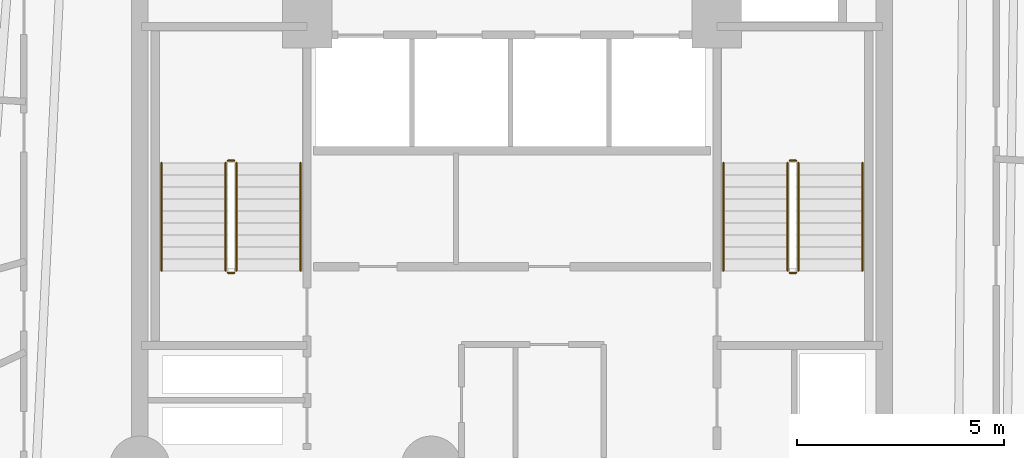
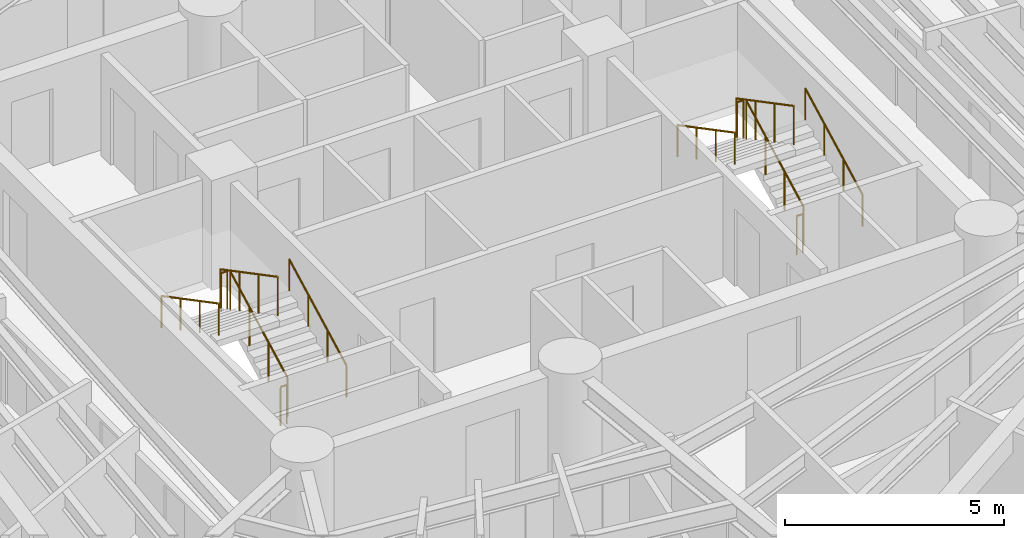
# One storey, part 8 of 8: 12 railings.
"""IFC4 building model written with IfcOpenShell, lengths in metres."""

from ifc_helpers import new_model, si_unit, direction, frame, origin, origin_2d, place, context, subcontext, project, spatial, circle, extrude, material, layer, layer_set, type_object, element, save


model = new_model("IFC4")

# Units and contexts
model_context = context("Model", 3, precision=1e-05, world=origin(), true_north=direction((0.0, 1.0)))
body_context = subcontext(model_context, "Body", "Model", "MODEL_VIEW")
ifc_project = project(units=[si_unit("LENGTHUNIT", "METRE"), si_unit("AREAUNIT", "SQUARE_METRE"), si_unit("VOLUMEUNIT", "CUBIC_METRE"), si_unit("PLANEANGLEUNIT", "RADIAN"), si_unit("MASSUNIT", "GRAM", prefix="KILO")], contexts=[model_context])

# Site, building, storey
site_placement = place(None, origin())
site = spatial("IfcSite", under=ifc_project, at=site_placement, CompositionType="ELEMENT")
building_placement = place(site_placement, origin())
building = spatial("IfcBuilding", under=site, at=building_placement, Name="Karkom Vertical University and Central Library", CompositionType="ELEMENT")
storey_placement = place(building_placement, frame((0.0, 0.0, 141.949951171875)))
storey = spatial("IfcBuildingStorey", under=building, at=storey_placement, Name="L40", CompositionType="ELEMENT", Elevation=141.949951171875)

# Railings
ifc_material_1 = material(Name="Painted galvanised steel balustrade", Category="steel")
ifc_layer_1 = layer(ifc_material_1, 0.06005859375)
ifc_layer_set_1 = layer_set([ifc_layer_1], Name="Painted galvanised steel balustrade")
railing_type_1 = type_object("IfcRailingType", Name="INT-RL-GUARD1100", PredefinedType="GUARDRAIL", material=ifc_layer_set_1)
railing_1_placement = place(storey_placement, frame((21.840087890625, 23.02001953125, 0.152587890625)))
element("IfcRailing", 1, at=railing_1_placement, inside=storey, type_object=railing_type_1, Name="Level 40 ST-1 stair guard 1", PredefinedType="GUARDRAIL", context=body_context, shape_type="SweptSolid", body=[
    extrude(circle(Radius=0.02392578125, at=origin_2d()), frame((0.0, 0.0, 1.076171875), z_axis=(0.0, 0.885065446896, 0.46546659892), x_axis=(-1.0, 0.0, 0.0)), (0.0, 0.0, 1.0), 2.94873046875),
    extrude(circle(Radius=0.02099609375, at=origin_2d()), origin(), (0.0, 0.0, 1.0), 1.052001953125),
    extrude(circle(Radius=0.02099609375, at=origin_2d()), frame((0.0, 0.869873046875, 0.45751953125)), (0.0, 0.0, 1.0), 1.052001953125),
    extrude(circle(Radius=0.02099609375, at=origin_2d()), frame((0.0, 1.739990234375, 0.9150390625)), (0.0, 0.0, 1.0), 1.052001953125),
    extrude(circle(Radius=0.02099609375, at=origin_2d()), frame((0.0, 2.60986328125, 1.37255859375)), (0.0, 0.0, 1.0), 1.052001953125),
])
railing_2_placement = place(storey_placement, frame((21.7900390625, 25.679931640625, 1.525146484375)))
element("IfcRailing", 2, at=railing_2_placement, inside=storey, type_object=railing_type_1, Name="Level 40 ST-1 stair guard 2", PredefinedType="GUARDRAIL", context=body_context, shape_type="SweptSolid", body=[
    extrude(circle(Radius=0.02392578125, at=origin_2d()), frame((0.0, 0.0, 1.076171875), z_axis=(-1.0, 0.0, 0.0), x_axis=(0.0, -1.0, 0.0)), (0.0, 0.0, 1.0), 0.16015625),
    extrude(circle(Radius=0.02099609375, at=origin_2d()), origin(), (0.0, 0.0, 1.0), 1.052001953125),
    extrude(circle(Radius=0.02099609375, at=origin_2d()), frame((-0.16015625, 0.0, 0.0)), (0.0, 0.0, 1.0), 1.052001953125),
])
railing_3_placement = place(storey_placement, frame((21.580078125, 25.6298828125, 1.677490234375)))
element("IfcRailing", 3, at=railing_3_placement, inside=storey, type_object=railing_type_1, Name="Level 40 ST-1 stair guard 3", PredefinedType="GUARDRAIL", context=body_context, shape_type="SweptSolid", body=[
    extrude(circle(Radius=0.02392578125, at=origin_2d()), frame((0.0, 0.0, 1.076171875), z_axis=(0.0, -0.885065446896, 0.46546659892), x_axis=(1.0, 0.0, 0.0)), (0.0, 0.0, 1.0), 2.94873046875),
    extrude(circle(Radius=0.02099609375, at=origin_2d()), origin(), (0.0, 0.0, 1.0), 1.052001953125),
    extrude(circle(Radius=0.02099609375, at=origin_2d()), frame((0.0, -0.869873046875, 0.45751953125)), (0.0, 0.0, 1.0), 1.052001953125),
    extrude(circle(Radius=0.02099609375, at=origin_2d()), frame((0.0, -1.739990234375, 0.9150390625)), (0.0, 0.0, 1.0), 1.052001953125),
    extrude(circle(Radius=0.02099609375, at=origin_2d()), frame((0.0, -2.60986328125, 1.37255859375)), (0.0, 0.0, 1.0), 1.052001953125),
])
railing_4_placement = place(storey_placement, frame((21.7900390625, 22.969970703125, 0.0)))
element("IfcRailing", 4, at=railing_4_placement, inside=storey, type_object=railing_type_1, Name="Level 40 ST-1 stair guard 4", PredefinedType="GUARDRAIL", context=body_context, shape_type="SweptSolid", body=[
    extrude(circle(Radius=0.02392578125, at=origin_2d()), frame((0.0, 0.0, 1.076171875), z_axis=(-1.0, 0.0, 0.0), x_axis=(0.0, -1.0, 0.0)), (0.0, 0.0, 1.0), 0.16015625),
    extrude(circle(Radius=0.02099609375, at=origin_2d()), origin(), (0.0, 0.0, 1.0), 1.052001953125),
    extrude(circle(Radius=0.02099609375, at=origin_2d()), frame((-0.16015625, 0.0, 0.0)), (0.0, 0.0, 1.0), 1.052001953125),
])
railing_5_placement = place(storey_placement, frame((35.419921875, 23.02001953125, 0.152587890625)))
element("IfcRailing", 5, at=railing_5_placement, inside=storey, type_object=railing_type_1, Name="Level 40 ST-2 stair guard 1", PredefinedType="GUARDRAIL", context=body_context, shape_type="SweptSolid", body=[
    extrude(circle(Radius=0.02392578125, at=origin_2d()), frame((0.0, 0.0, 1.076171875), z_axis=(0.0, 0.885065446896, 0.46546659892), x_axis=(-1.0, 0.0, 0.0)), (0.0, 0.0, 1.0), 2.94873046875),
    extrude(circle(Radius=0.02099609375, at=origin_2d()), origin(), (0.0, 0.0, 1.0), 1.052001953125),
    extrude(circle(Radius=0.02099609375, at=origin_2d()), frame((0.0, 0.869873046875, 0.45751953125)), (0.0, 0.0, 1.0), 1.052001953125),
    extrude(circle(Radius=0.02099609375, at=origin_2d()), frame((0.0, 1.739990234375, 0.9150390625)), (0.0, 0.0, 1.0), 1.052001953125),
    extrude(circle(Radius=0.02099609375, at=origin_2d()), frame((0.0, 2.60986328125, 1.37255859375)), (0.0, 0.0, 1.0), 1.052001953125),
])
railing_6_placement = place(storey_placement, frame((35.3701171875, 25.679931640625, 1.525146484375)))
element("IfcRailing", 6, at=railing_6_placement, inside=storey, type_object=railing_type_1, Name="Level 40 ST-2 stair guard 2", PredefinedType="GUARDRAIL", context=body_context, shape_type="SweptSolid", body=[
    extrude(circle(Radius=0.02392578125, at=origin_2d()), frame((0.0, 0.0, 1.076171875), z_axis=(-1.0, 0.0, 0.0), x_axis=(0.0, -1.0, 0.0)), (0.0, 0.0, 1.0), 0.16015625),
    extrude(circle(Radius=0.02099609375, at=origin_2d()), origin(), (0.0, 0.0, 1.0), 1.052001953125),
    extrude(circle(Radius=0.02099609375, at=origin_2d()), frame((-0.16015625, 0.0, 0.0)), (0.0, 0.0, 1.0), 1.052001953125),
])
railing_7_placement = place(storey_placement, frame((35.159912109375, 25.6298828125, 1.677490234375)))
element("IfcRailing", 7, at=railing_7_placement, inside=storey, type_object=railing_type_1, Name="Level 40 ST-2 stair guard 3", PredefinedType="GUARDRAIL", context=body_context, shape_type="SweptSolid", body=[
    extrude(circle(Radius=0.02392578125, at=origin_2d()), frame((0.0, 0.0, 1.076171875), z_axis=(0.0, -0.885065446896, 0.46546659892), x_axis=(1.0, 0.0, 0.0)), (0.0, 0.0, 1.0), 2.94873046875),
    extrude(circle(Radius=0.02099609375, at=origin_2d()), origin(), (0.0, 0.0, 1.0), 1.052001953125),
    extrude(circle(Radius=0.02099609375, at=origin_2d()), frame((0.0, -0.869873046875, 0.45751953125)), (0.0, 0.0, 1.0), 1.052001953125),
    extrude(circle(Radius=0.02099609375, at=origin_2d()), frame((0.0, -1.739990234375, 0.9150390625)), (0.0, 0.0, 1.0), 1.052001953125),
    extrude(circle(Radius=0.02099609375, at=origin_2d()), frame((0.0, -2.60986328125, 1.37255859375)), (0.0, 0.0, 1.0), 1.052001953125),
])
railing_8_placement = place(storey_placement, frame((35.3701171875, 22.969970703125, 0.0)))
element("IfcRailing", 8, at=railing_8_placement, inside=storey, type_object=railing_type_1, Name="Level 40 ST-2 stair guard 4", PredefinedType="GUARDRAIL", context=body_context, shape_type="SweptSolid", body=[
    extrude(circle(Radius=0.02392578125, at=origin_2d()), frame((0.0, 0.0, 1.076171875), z_axis=(-1.0, 0.0, 0.0), x_axis=(0.0, -1.0, 0.0)), (0.0, 0.0, 1.0), 0.16015625),
    extrude(circle(Radius=0.02099609375, at=origin_2d()), origin(), (0.0, 0.0, 1.0), 1.052001953125),
    extrude(circle(Radius=0.02099609375, at=origin_2d()), frame((-0.16015625, 0.0, 0.0)), (0.0, 0.0, 1.0), 1.052001953125),
])
ifc_material_2 = material(Name="Brushed stainless-steel tubular handrail", Category="steel")
ifc_layer_2 = layer(ifc_material_2, 0.048095703125)
ifc_layer_set_2 = layer_set([ifc_layer_2], Name="Brushed stainless-steel tubular handrail")
railing_type_2 = type_object("IfcRailingType", Name="INT-RL-HAND920", PredefinedType="HANDRAIL", material=ifc_layer_set_2)
railing_9_placement = place(storey_placement, frame((23.389892578125, 23.02001953125, 0.152587890625)))
element("IfcRailing", 9, at=railing_9_placement, inside=storey, type_object=railing_type_2, Name="Level 40 ST-1 stair handrail 1", PredefinedType="HANDRAIL", context=body_context, shape_type="SweptSolid", body=[
    extrude(circle(Radius=0.02392578125, at=origin_2d()), frame((0.0, 0.0, 0.8759765625), z_axis=(0.0, 0.885065446896, 0.46546659892), x_axis=(-1.0, 0.0, 0.0)), (0.0, 0.0, 1.0), 2.94873046875),
    extrude(circle(Radius=0.02099609375, at=origin_2d()), origin(), (0.0, 0.0, 1.0), 0.851806640625),
    extrude(circle(Radius=0.02099609375, at=origin_2d()), frame((0.0, 0.869873046875, 0.45751953125)), (0.0, 0.0, 1.0), 0.851806640625),
    extrude(circle(Radius=0.02099609375, at=origin_2d()), frame((0.0, 1.739990234375, 0.9150390625)), (0.0, 0.0, 1.0), 0.851806640625),
    extrude(circle(Radius=0.02099609375, at=origin_2d()), frame((0.0, 2.60986328125, 1.37255859375)), (0.0, 0.0, 1.0), 0.851806640625),
])
railing_10_placement = place(storey_placement, frame((20.030029296875, 25.6298828125, 1.677490234375)))
element("IfcRailing", 10, at=railing_10_placement, inside=storey, type_object=railing_type_2, Name="Level 40 ST-1 stair handrail 2", PredefinedType="HANDRAIL", context=body_context, shape_type="SweptSolid", body=[
    extrude(circle(Radius=0.02392578125, at=origin_2d()), frame((0.0, 0.0, 0.8759765625), z_axis=(0.0, -0.885065446896, 0.46546659892), x_axis=(1.0, 0.0, 0.0)), (0.0, 0.0, 1.0), 2.94873046875),
    extrude(circle(Radius=0.02099609375, at=origin_2d()), origin(), (0.0, 0.0, 1.0), 0.851806640625),
    extrude(circle(Radius=0.02099609375, at=origin_2d()), frame((0.0, -0.869873046875, 0.45751953125)), (0.0, 0.0, 1.0), 0.851806640625),
    extrude(circle(Radius=0.02099609375, at=origin_2d()), frame((0.0, -1.739990234375, 0.9150390625)), (0.0, 0.0, 1.0), 0.851806640625),
    extrude(circle(Radius=0.02099609375, at=origin_2d()), frame((0.0, -2.60986328125, 1.37255859375)), (0.0, 0.0, 1.0), 0.851806640625),
])
railing_11_placement = place(storey_placement, frame((36.969970703125, 23.02001953125, 0.152587890625)))
element("IfcRailing", 11, at=railing_11_placement, inside=storey, type_object=railing_type_2, Name="Level 40 ST-2 stair handrail 1", PredefinedType="HANDRAIL", context=body_context, shape_type="SweptSolid", body=[
    extrude(circle(Radius=0.02392578125, at=origin_2d()), frame((0.0, 0.0, 0.8759765625), z_axis=(0.0, 0.885065446896, 0.46546659892), x_axis=(-1.0, 0.0, 0.0)), (0.0, 0.0, 1.0), 2.94873046875),
    extrude(circle(Radius=0.02099609375, at=origin_2d()), origin(), (0.0, 0.0, 1.0), 0.851806640625),
    extrude(circle(Radius=0.02099609375, at=origin_2d()), frame((0.0, 0.869873046875, 0.45751953125)), (0.0, 0.0, 1.0), 0.851806640625),
    extrude(circle(Radius=0.02099609375, at=origin_2d()), frame((0.0, 1.739990234375, 0.9150390625)), (0.0, 0.0, 1.0), 0.851806640625),
    extrude(circle(Radius=0.02099609375, at=origin_2d()), frame((0.0, 2.60986328125, 1.37255859375)), (0.0, 0.0, 1.0), 0.851806640625),
])
railing_12_placement = place(storey_placement, frame((33.610107421875, 25.6298828125, 1.677490234375)))
element("IfcRailing", 12, at=railing_12_placement, inside=storey, type_object=railing_type_2, Name="Level 40 ST-2 stair handrail 2", PredefinedType="HANDRAIL", context=body_context, shape_type="SweptSolid", body=[
    extrude(circle(Radius=0.02392578125, at=origin_2d()), frame((0.0, 0.0, 0.8759765625), z_axis=(0.0, -0.885065446896, 0.46546659892), x_axis=(1.0, 0.0, 0.0)), (0.0, 0.0, 1.0), 2.94873046875),
    extrude(circle(Radius=0.02099609375, at=origin_2d()), origin(), (0.0, 0.0, 1.0), 0.851806640625),
    extrude(circle(Radius=0.02099609375, at=origin_2d()), frame((0.0, -0.869873046875, 0.45751953125)), (0.0, 0.0, 1.0), 0.851806640625),
    extrude(circle(Radius=0.02099609375, at=origin_2d()), frame((0.0, -1.739990234375, 0.9150390625)), (0.0, 0.0, 1.0), 0.851806640625),
    extrude(circle(Radius=0.02099609375, at=origin_2d()), frame((0.0, -2.60986328125, 1.37255859375)), (0.0, 0.0, 1.0), 0.851806640625),
])

save(model, "model.ifc")
